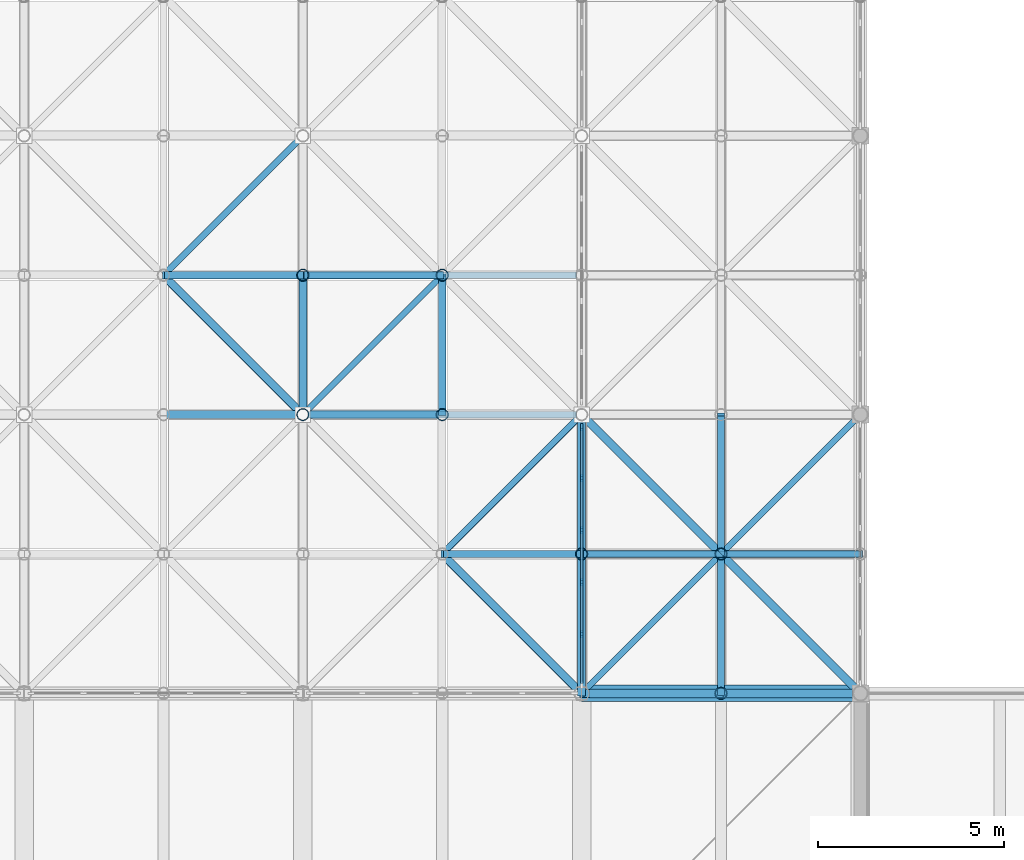
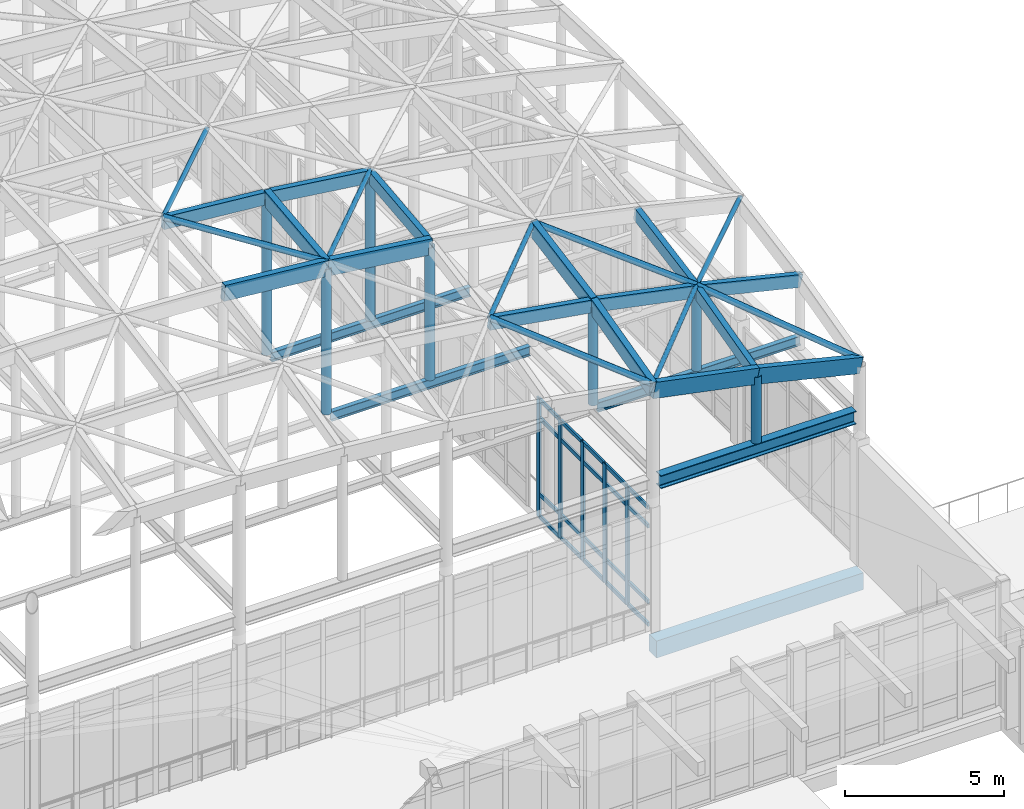
# One storey, part 43 of 131: 56 members, 5 beams, 1 element without a shape of its own.
"""IFC4 building model written with IfcOpenShell, lengths in metres."""

from ifc_helpers import new_model, si_unit, direction, frame, origin, origin_2d, place, context, subcontext, project, spatial, rectangle, hollow_circle, i_section, extrude, material, layer, layer_set, material_profile, profile_set, type_object, element, aggregate, save


model = new_model("IFC4")

# Units and contexts
model_context = context("Model", 3, precision=1e-05, world=origin(), true_north=direction((0.0, 1.0)))
body_context = subcontext(model_context, "Body", "Model", "MODEL_VIEW")
ifc_project = project(units=[si_unit("LENGTHUNIT", "METRE"), si_unit("AREAUNIT", "SQUARE_METRE"), si_unit("VOLUMEUNIT", "CUBIC_METRE"), si_unit("PLANEANGLEUNIT", "RADIAN"), si_unit("MASSUNIT", "GRAM", prefix="KILO")], contexts=[model_context])

# Site, building, storey
site_placement = place(None, origin())
site = spatial("IfcSite", under=ifc_project, at=site_placement, CompositionType="ELEMENT")
building_placement = place(site_placement, origin())
building = spatial("IfcBuilding", under=site, at=building_placement, Name="Dalvernix Boulevard General Hospital", CompositionType="ELEMENT")
storey_placement = place(building_placement, frame((0.0, 0.0, 9.300048828125)))
storey = spatial("IfcBuildingStorey", under=building, at=storey_placement, Name="L02", CompositionType="ELEMENT", Elevation=9.300048828125)

# Beams
ifc_material_1 = material(Name="Concrete C35/45", Category="concrete")
ifc_material_profile_1 = material_profile(ifc_material_1, rectangle(XDim=0.449951171875, YDim=0.64990234375, at=origin_2d()), Name="RCB 450x650")
ifc_profile_set_1 = profile_set([ifc_material_profile_1], Name="Concrete C35/45")
beam_type_1 = type_object("IfcBeamType", Name="BM-B-03-I", PredefinedType="BEAM", material=ifc_profile_set_1)
beam_1_placement = place(storey_placement, frame((105.0, 31.5, -0.64501953125), z_axis=(1.0, 0.0, 0.0), x_axis=(0.0, 1.0, 0.0)))
element("IfcBeam", 1, at=beam_1_placement, inside=storey, type_object=beam_type_1, Name="L02 E-W girder E:15-16", PredefinedType="BEAM", context=body_context, shape_type="SweptSolid", body=[
    extrude(rectangle(XDim=0.449951171875, YDim=0.64990234375, at=origin_2d()), origin(), (0.0, 0.0, 1.0), 7.5),
])
ifc_material_2 = material(Name="Steel S355", Category="steel")
ifc_material_profile_2 = material_profile(ifc_material_2, i_section(OverallWidth=0.300048828125, OverallDepth=0.5, WebThickness=0.014404296875, FlangeThickness=0.028076171875, FilletRadius=0.027099609375, at=origin_2d()), Name="HEB 500")
ifc_profile_set_2 = profile_set([ifc_material_profile_2], Name="Steel S355")
beam_type_2 = type_object("IfcBeamType", Name="BM-RB-02", PredefinedType="BEAM", material=ifc_profile_set_2)
beam_2_placement = place(storey_placement, frame((105.2099609375, 31.5, 5.64990234375), z_axis=(1.0, 0.0, 0.0), x_axis=(0.0, 1.0, 0.0)))
element("IfcBeam", 2, at=beam_2_placement, inside=storey, type_object=beam_type_2, Name="Gridshell Ring Beam S bay 7", PredefinedType="BEAM", context=body_context, shape_type="SweptSolid", body=[
    extrude(i_section(OverallWidth=0.300048828125, OverallDepth=0.5, WebThickness=0.014404296875, FlangeThickness=0.028076171875, FilletRadius=0.027099609375, at=origin_2d()), origin(), (0.0, 0.0, 1.0), 7.080078125),
])
ifc_material_profile_3 = material_profile(ifc_material_2, i_section(OverallWidth=0.169921875, OverallDepth=0.360107421875, WebThickness=0.008056640625, FlangeThickness=0.0126953125, FilletRadius=0.01806640625, at=origin_2d()), Name="IPE 360")
ifc_profile_set_3 = profile_set([ifc_material_profile_3], Name="Steel S355")
beam_type_3 = type_object("IfcBeamType", Name="BM-RB-08", PredefinedType="BEAM", material=ifc_profile_set_3)
beam_3_placement = place(storey_placement, frame((105.14208984375, 35.25, 6.219970703125), z_axis=(1.0, 0.0, 0.0), x_axis=(0.0, 1.0, 0.0)))
element("IfcBeam", 3, at=beam_3_placement, inside=storey, type_object=beam_type_3, Name="ROOF TRUSS Gridshell cross tie 12-1", PredefinedType="BEAM", context=body_context, shape_type="SweptSolid", body=[
    extrude(i_section(OverallWidth=0.169921875, OverallDepth=0.360107421875, WebThickness=0.008056640625, FlangeThickness=0.0126953125, FilletRadius=0.01806640625, at=origin_2d()), origin(), (0.0, 0.0, 1.0), 7.35791015625),
])
for number, where, z_axis, x_axis, name in (
    (4, (97.64208984375, 39.0, 6.219970703125), (1.0, 0.0, 0.0), (0.0, 1.0, 0.0), "ROOF TRUSS Gridshell cross tie 10-2"),
    (5, (97.64208984375, 42.75, 6.219970703125), (1.0, 0.0, 0.0), (0.0, 1.0, 0.0), "ROOF TRUSS Gridshell cross tie 10-3"),
):
    element("IfcBeam", number, at=place(storey_placement, frame(where, z_axis=z_axis, x_axis=x_axis)), inside=storey, type_object=beam_type_3, Name=name, PredefinedType="BEAM", context=body_context, shape_type="SweptSolid", body=[
        extrude(i_section(OverallWidth=0.169921875, OverallDepth=0.360107421875, WebThickness=0.008056640625, FlangeThickness=0.0126953125, FilletRadius=0.01806640625, at=origin_2d()), origin(), (0.0, 0.0, 1.0), 7.2158203125),
    ])

# Curtain wall, members
ifc_material_3 = material(Name="Thermally broken aluminium and solar-control glass curtain wall", Category="aluminium")
ifc_layer = layer(ifc_material_3, 0.199951171875)
ifc_layer_set = layer_set([ifc_layer], Name="Thermally broken aluminium and solar-control glass curtain wall (CW-CW-C-70x46)")
curtain_wall_type = type_object("IfcCurtainWallType", Name="CW-CW-C-70x46", PredefinedType="USERDEFINED", material=ifc_layer_set)
curtain_wall_placement = place(storey_placement, origin())
curtain_wall = element("IfcCurtainWall", 6, at=curtain_wall_placement, inside=storey, type_object=curtain_wall_type, Name="L02 curtain wall CW-C-70x46 14-4", ObjectType="GLAZED FACADE", PredefinedType="USERDEFINED")
ifc_material_4 = material(Name="Aluminium EN AW-6060", Category="aluminium")
ifc_material_profile_4 = material_profile(ifc_material_4, rectangle(XDim=0.070068359375, YDim=0.199951171875, at=origin_2d()), Name="ALU MULL 70x200")
ifc_profile_set_4 = profile_set([ifc_material_profile_4], Name="Aluminium EN AW-6060")
member_type_1 = type_object("IfcMemberType", Name="MEM-CW-M3", PredefinedType="MULLION", material=ifc_profile_set_4)
member_1_placement = place(storey_placement, frame((105.0, 33.090087890625, 0.0), z_axis=(0.0, 0.0, 1.0), x_axis=(-1.0, 0.0, 0.0)))
member_1 = element("IfcMember", 7, at=member_1_placement, type_object=member_type_1, Name="CW-C-70x46 mullion 2", PredefinedType="MULLION", context=body_context, shape_type="SweptSolid", body=[
    extrude(rectangle(XDim=0.070068359375, YDim=0.199951171875, at=origin_2d()), origin(), (0.0, 0.0, 1.0), 4.550048828125),
])
member_2_placement = place(storey_placement, frame((105.0, 34.489990234375, 0.0), z_axis=(0.0, 0.0, 1.0), x_axis=(-1.0, 0.0, 0.0)))
member_2 = element("IfcMember", 8, at=member_2_placement, type_object=member_type_1, Name="CW-C-70x46 mullion 3", PredefinedType="MULLION", context=body_context, shape_type="SweptSolid", body=[
    extrude(rectangle(XDim=0.070068359375, YDim=0.199951171875, at=origin_2d()), origin(), (0.0, 0.0, 1.0), 4.550048828125),
])
member_3_placement = place(storey_placement, frame((105.0, 35.889892578125, 0.0), z_axis=(0.0, 0.0, 1.0), x_axis=(-1.0, 0.0, 0.0)))
member_3 = element("IfcMember", 9, at=member_3_placement, type_object=member_type_1, Name="CW-C-70x46 mullion 4", PredefinedType="MULLION", context=body_context, shape_type="SweptSolid", body=[
    extrude(rectangle(XDim=0.070068359375, YDim=0.199951171875, at=origin_2d()), origin(), (0.0, 0.0, 1.0), 4.550048828125),
])
member_4_placement = place(storey_placement, frame((105.0, 37.2900390625, 0.0), z_axis=(0.0, 0.0, 1.0), x_axis=(-1.0, 0.0, 0.0)))
member_4 = element("IfcMember", 10, at=member_4_placement, type_object=member_type_1, Name="CW-C-70x46 mullion 5", PredefinedType="MULLION", context=body_context, shape_type="SweptSolid", body=[
    extrude(rectangle(XDim=0.070068359375, YDim=0.199951171875, at=origin_2d()), origin(), (0.0, 0.0, 1.0), 4.550048828125),
])
member_5_placement = place(storey_placement, frame((105.0, 38.655029296875, 0.0), z_axis=(0.0, 0.0, 1.0), x_axis=(-1.0, 0.0, 0.0)))
member_5 = element("IfcMember", 11, at=member_5_placement, type_object=member_type_1, Name="CW-C-70x46 mullion 6", PredefinedType="MULLION", context=body_context, shape_type="SweptSolid", body=[
    extrude(rectangle(XDim=0.070068359375, YDim=0.199951171875, at=origin_2d()), origin(), (0.0, 0.0, 1.0), 4.550048828125),
])
ifc_material_profile_5 = material_profile(ifc_material_4, rectangle(XDim=0.070068359375, YDim=0.14990234375, at=origin_2d()), Name="ALU TRAN 70x150")
ifc_profile_set_5 = profile_set([ifc_material_profile_5], Name="Aluminium EN AW-6060")
member_type_2 = type_object("IfcMemberType", Name="MEM-CW-T3", PredefinedType="USERDEFINED", material=ifc_profile_set_5)
member_6_placement = place(storey_placement, frame((105.0, 31.760009765625, 0.034912109375), z_axis=(0.0, 1.0, 0.0), x_axis=(-1.0, 0.0, 0.0)))
member_6 = element("IfcMember", 12, at=member_6_placement, type_object=member_type_2, Name="CW-C-70x46 transom 1.1", ObjectType="TRANSOM", PredefinedType="USERDEFINED", context=body_context, shape_type="SweptSolid", body=[
    extrude(rectangle(XDim=0.070068359375, YDim=0.14990234375, at=origin_2d()), origin(), (0.0, 0.0, 1.0), 1.294921875),
])
member_7_placement = place(storey_placement, frame((105.0, 31.760009765625, 0.89990234375), z_axis=(0.0, 1.0, 0.0), x_axis=(-1.0, 0.0, 0.0)))
member_7 = element("IfcMember", 13, at=member_7_placement, type_object=member_type_2, Name="CW-C-70x46 transom 1.2", ObjectType="TRANSOM", PredefinedType="USERDEFINED", context=body_context, shape_type="SweptSolid", body=[
    extrude(rectangle(XDim=0.070068359375, YDim=0.14990234375, at=origin_2d()), origin(), (0.0, 0.0, 1.0), 1.294921875),
])
member_8_placement = place(storey_placement, frame((105.0, 31.760009765625, 3.800048828125), z_axis=(0.0, 1.0, 0.0), x_axis=(-1.0, 0.0, 0.0)))
member_8 = element("IfcMember", 14, at=member_8_placement, type_object=member_type_2, Name="CW-C-70x46 transom 1.3", ObjectType="TRANSOM", PredefinedType="USERDEFINED", context=body_context, shape_type="SweptSolid", body=[
    extrude(rectangle(XDim=0.070068359375, YDim=0.14990234375, at=origin_2d()), origin(), (0.0, 0.0, 1.0), 1.294921875),
])
member_9_placement = place(storey_placement, frame((105.0, 31.760009765625, 4.514892578125), z_axis=(0.0, 1.0, 0.0), x_axis=(-1.0, 0.0, 0.0)))
member_9 = element("IfcMember", 15, at=member_9_placement, type_object=member_type_2, Name="CW-C-70x46 transom 1.4", ObjectType="TRANSOM", PredefinedType="USERDEFINED", context=body_context, shape_type="SweptSolid", body=[
    extrude(rectangle(XDim=0.070068359375, YDim=0.14990234375, at=origin_2d()), origin(), (0.0, 0.0, 1.0), 1.294921875),
])
member_10_placement = place(storey_placement, frame((105.0, 33.125, 0.034912109375), z_axis=(0.0, 1.0, 0.0), x_axis=(-1.0, 0.0, 0.0)))
member_10 = element("IfcMember", 16, at=member_10_placement, type_object=member_type_2, Name="CW-C-70x46 transom 2.1", ObjectType="TRANSOM", PredefinedType="USERDEFINED", context=body_context, shape_type="SweptSolid", body=[
    extrude(rectangle(XDim=0.070068359375, YDim=0.14990234375, at=origin_2d()), origin(), (0.0, 0.0, 1.0), 1.330078125),
])
member_11_placement = place(storey_placement, frame((105.0, 33.125, 0.89990234375), z_axis=(0.0, 1.0, 0.0), x_axis=(-1.0, 0.0, 0.0)))
member_11 = element("IfcMember", 17, at=member_11_placement, type_object=member_type_2, Name="CW-C-70x46 transom 2.2", ObjectType="TRANSOM", PredefinedType="USERDEFINED", context=body_context, shape_type="SweptSolid", body=[
    extrude(rectangle(XDim=0.070068359375, YDim=0.14990234375, at=origin_2d()), origin(), (0.0, 0.0, 1.0), 1.330078125),
])
member_12_placement = place(storey_placement, frame((105.0, 33.125, 3.800048828125), z_axis=(0.0, 1.0, 0.0), x_axis=(-1.0, 0.0, 0.0)))
member_12 = element("IfcMember", 18, at=member_12_placement, type_object=member_type_2, Name="CW-C-70x46 transom 2.3", ObjectType="TRANSOM", PredefinedType="USERDEFINED", context=body_context, shape_type="SweptSolid", body=[
    extrude(rectangle(XDim=0.070068359375, YDim=0.14990234375, at=origin_2d()), origin(), (0.0, 0.0, 1.0), 1.330078125),
])
member_13_placement = place(storey_placement, frame((105.0, 33.125, 4.514892578125), z_axis=(0.0, 1.0, 0.0), x_axis=(-1.0, 0.0, 0.0)))
member_13 = element("IfcMember", 19, at=member_13_placement, type_object=member_type_2, Name="CW-C-70x46 transom 2.4", ObjectType="TRANSOM", PredefinedType="USERDEFINED", context=body_context, shape_type="SweptSolid", body=[
    extrude(rectangle(XDim=0.070068359375, YDim=0.14990234375, at=origin_2d()), origin(), (0.0, 0.0, 1.0), 1.330078125),
])
member_14_placement = place(storey_placement, frame((105.0, 34.52490234375, 0.034912109375), z_axis=(0.0, 1.0, 0.0), x_axis=(-1.0, 0.0, 0.0)))
member_14 = element("IfcMember", 20, at=member_14_placement, type_object=member_type_2, Name="CW-C-70x46 transom 3.1", ObjectType="TRANSOM", PredefinedType="USERDEFINED", context=body_context, shape_type="SweptSolid", body=[
    extrude(rectangle(XDim=0.070068359375, YDim=0.14990234375, at=origin_2d()), origin(), (0.0, 0.0, 1.0), 1.330078125),
])
member_15_placement = place(storey_placement, frame((105.0, 34.52490234375, 0.89990234375), z_axis=(0.0, 1.0, 0.0), x_axis=(-1.0, 0.0, 0.0)))
member_15 = element("IfcMember", 21, at=member_15_placement, type_object=member_type_2, Name="CW-C-70x46 transom 3.2", ObjectType="TRANSOM", PredefinedType="USERDEFINED", context=body_context, shape_type="SweptSolid", body=[
    extrude(rectangle(XDim=0.070068359375, YDim=0.14990234375, at=origin_2d()), origin(), (0.0, 0.0, 1.0), 1.330078125),
])
member_16_placement = place(storey_placement, frame((105.0, 34.52490234375, 3.800048828125), z_axis=(0.0, 1.0, 0.0), x_axis=(-1.0, 0.0, 0.0)))
member_16 = element("IfcMember", 22, at=member_16_placement, type_object=member_type_2, Name="CW-C-70x46 transom 3.3", ObjectType="TRANSOM", PredefinedType="USERDEFINED", context=body_context, shape_type="SweptSolid", body=[
    extrude(rectangle(XDim=0.070068359375, YDim=0.14990234375, at=origin_2d()), origin(), (0.0, 0.0, 1.0), 1.330078125),
])
member_17_placement = place(storey_placement, frame((105.0, 34.52490234375, 4.514892578125), z_axis=(0.0, 1.0, 0.0), x_axis=(-1.0, 0.0, 0.0)))
member_17 = element("IfcMember", 23, at=member_17_placement, type_object=member_type_2, Name="CW-C-70x46 transom 3.4", ObjectType="TRANSOM", PredefinedType="USERDEFINED", context=body_context, shape_type="SweptSolid", body=[
    extrude(rectangle(XDim=0.070068359375, YDim=0.14990234375, at=origin_2d()), origin(), (0.0, 0.0, 1.0), 1.330078125),
])
member_18_placement = place(storey_placement, frame((105.0, 35.925048828125, 0.034912109375), z_axis=(0.0, 1.0, 0.0), x_axis=(-1.0, 0.0, 0.0)))
member_18 = element("IfcMember", 24, at=member_18_placement, type_object=member_type_2, Name="CW-C-70x46 transom 4.1", ObjectType="TRANSOM", PredefinedType="USERDEFINED", context=body_context, shape_type="SweptSolid", body=[
    extrude(rectangle(XDim=0.070068359375, YDim=0.14990234375, at=origin_2d()), origin(), (0.0, 0.0, 1.0), 1.329833984375),
])
member_19_placement = place(storey_placement, frame((105.0, 35.925048828125, 0.89990234375), z_axis=(0.0, 1.0, 0.0), x_axis=(-1.0, 0.0, 0.0)))
member_19 = element("IfcMember", 25, at=member_19_placement, type_object=member_type_2, Name="CW-C-70x46 transom 4.2", ObjectType="TRANSOM", PredefinedType="USERDEFINED", context=body_context, shape_type="SweptSolid", body=[
    extrude(rectangle(XDim=0.070068359375, YDim=0.14990234375, at=origin_2d()), origin(), (0.0, 0.0, 1.0), 1.329833984375),
])
member_20_placement = place(storey_placement, frame((105.0, 35.925048828125, 3.800048828125), z_axis=(0.0, 1.0, 0.0), x_axis=(-1.0, 0.0, 0.0)))
member_20 = element("IfcMember", 26, at=member_20_placement, type_object=member_type_2, Name="CW-C-70x46 transom 4.3", ObjectType="TRANSOM", PredefinedType="USERDEFINED", context=body_context, shape_type="SweptSolid", body=[
    extrude(rectangle(XDim=0.070068359375, YDim=0.14990234375, at=origin_2d()), origin(), (0.0, 0.0, 1.0), 1.329833984375),
])
member_21_placement = place(storey_placement, frame((105.0, 35.925048828125, 4.514892578125), z_axis=(0.0, 1.0, 0.0), x_axis=(-1.0, 0.0, 0.0)))
member_21 = element("IfcMember", 27, at=member_21_placement, type_object=member_type_2, Name="CW-C-70x46 transom 4.4", ObjectType="TRANSOM", PredefinedType="USERDEFINED", context=body_context, shape_type="SweptSolid", body=[
    extrude(rectangle(XDim=0.070068359375, YDim=0.14990234375, at=origin_2d()), origin(), (0.0, 0.0, 1.0), 1.329833984375),
])
member_22_placement = place(storey_placement, frame((105.0, 37.324951171875, 0.034912109375), z_axis=(0.0, 1.0, 0.0), x_axis=(-1.0, 0.0, 0.0)))
member_22 = element("IfcMember", 28, at=member_22_placement, type_object=member_type_2, Name="CW-C-70x46 transom 5.1", ObjectType="TRANSOM", PredefinedType="USERDEFINED", context=body_context, shape_type="SweptSolid", body=[
    extrude(rectangle(XDim=0.070068359375, YDim=0.14990234375, at=origin_2d()), origin(), (0.0, 0.0, 1.0), 1.295166015625),
])
member_23_placement = place(storey_placement, frame((105.0, 37.324951171875, 0.89990234375), z_axis=(0.0, 1.0, 0.0), x_axis=(-1.0, 0.0, 0.0)))
member_23 = element("IfcMember", 29, at=member_23_placement, type_object=member_type_2, Name="CW-C-70x46 transom 5.2", ObjectType="TRANSOM", PredefinedType="USERDEFINED", context=body_context, shape_type="SweptSolid", body=[
    extrude(rectangle(XDim=0.070068359375, YDim=0.14990234375, at=origin_2d()), origin(), (0.0, 0.0, 1.0), 1.295166015625),
])
member_24_placement = place(storey_placement, frame((105.0, 37.324951171875, 3.800048828125), z_axis=(0.0, 1.0, 0.0), x_axis=(-1.0, 0.0, 0.0)))
member_24 = element("IfcMember", 30, at=member_24_placement, type_object=member_type_2, Name="CW-C-70x46 transom 5.3", ObjectType="TRANSOM", PredefinedType="USERDEFINED", context=body_context, shape_type="SweptSolid", body=[
    extrude(rectangle(XDim=0.070068359375, YDim=0.14990234375, at=origin_2d()), origin(), (0.0, 0.0, 1.0), 1.295166015625),
])
member_25_placement = place(storey_placement, frame((105.0, 37.324951171875, 4.514892578125), z_axis=(0.0, 1.0, 0.0), x_axis=(-1.0, 0.0, 0.0)))
member_25 = element("IfcMember", 31, at=member_25_placement, type_object=member_type_2, Name="CW-C-70x46 transom 5.4", ObjectType="TRANSOM", PredefinedType="USERDEFINED", context=body_context, shape_type="SweptSolid", body=[
    extrude(rectangle(XDim=0.070068359375, YDim=0.14990234375, at=origin_2d()), origin(), (0.0, 0.0, 1.0), 1.295166015625),
])
aggregate(curtain_wall, [member_1, member_2, member_3, member_4, member_5, member_6, member_7, member_8, member_9, member_10, member_11, member_12, member_13, member_14, member_15, member_16, member_17, member_18, member_19, member_20, member_21, member_22, member_23, member_24, member_25])

# Members
ifc_material_5 = material(Name="Glulam GL28h", Category="wood")
ifc_material_profile_6 = material_profile(ifc_material_5, rectangle(XDim=0.219970703125, YDim=0.60009765625, at=origin_2d()), Name="GL28h 220x600")
ifc_profile_set_6 = profile_set([ifc_material_profile_6], Name="Glulam GL28h")
member_type_3 = type_object("IfcMemberType", Name="MEM-GS-C1", PredefinedType="CHORD", material=ifc_profile_set_6)
member_26_placement = place(storey_placement, frame((105.0, 31.5, 9.21533203125), z_axis=(0.979900110741, 0.0, -0.199488779055), x_axis=(0.0, 1.0, 0.0)))
element("IfcMember", 32, at=member_26_placement, inside=storey, type_object=member_type_3, Name="ROOF TRUSS Gridshell E-W glulam rib 13-1", PredefinedType="CHORD", context=body_context, shape_type="SweptSolid", body=[
    extrude(rectangle(XDim=0.219970703125, YDim=0.60009765625, at=origin_2d()), origin(), (0.0, 0.0, 1.0), 3.826904296875),
])
member_27_placement = place(storey_placement, frame((108.75, 31.5, 8.451904296875), z_axis=(0.972278025754, 0.0, -0.233827801246), x_axis=(0.0, 1.0, 0.0)))
element("IfcMember", 33, at=member_27_placement, inside=storey, type_object=member_type_3, Name="ROOF TRUSS Gridshell E-W glulam rib 14-1", PredefinedType="CHORD", context=body_context, shape_type="SweptSolid", body=[
    extrude(rectangle(XDim=0.219970703125, YDim=0.60009765625, at=origin_2d()), origin(), (0.0, 0.0, 1.0), 3.85693359375),
])
member_28_placement = place(storey_placement, frame((93.75, 39.0, 12.322265625), z_axis=(0.995747945021, 0.0, -0.092119650382), x_axis=(0.0, 1.0, 0.0)))
element("IfcMember", 34, at=member_28_placement, inside=storey, type_object=member_type_3, Name="ROOF TRUSS Gridshell E-W glulam rib 10-3", PredefinedType="CHORD", context=body_context, shape_type="SweptSolid", body=[
    extrude(rectangle(XDim=0.219970703125, YDim=0.60009765625, at=origin_2d()), origin(), (0.0, 0.0, 1.0), 3.76611328125),
])
member_29_placement = place(storey_placement, frame((97.5, 39.0, 11.975341796875), z_axis=(0.99171987465, 0.0, -0.128419975956), x_axis=(0.0, 1.0, 0.0)))
element("IfcMember", 35, at=member_29_placement, inside=storey, type_object=member_type_3, Name="ROOF TRUSS Gridshell E-W glulam rib 11-3", PredefinedType="CHORD", context=body_context, shape_type="SweptSolid", body=[
    extrude(rectangle(XDim=0.219970703125, YDim=0.60009765625, at=origin_2d()), origin(), (0.0, 0.0, 1.0), 3.78125),
])
member_30_placement = place(storey_placement, frame((97.5, 39.0, 11.975341796875), z_axis=(0.0, 0.994001542248, 0.109366055104), x_axis=(-1.0, 0.0, 0.0)))
element("IfcMember", 36, at=member_30_placement, inside=storey, type_object=member_type_3, Name="ROOF TRUSS Gridshell N-S glulam rib 11-3", PredefinedType="CHORD", context=body_context, shape_type="SweptSolid", body=[
    extrude(rectangle(XDim=0.219970703125, YDim=0.60009765625, at=origin_2d()), origin(), (0.0, 0.0, 1.0), 3.772705078125),
])
member_31_placement = place(storey_placement, frame((105.0, 31.5, 9.21533203125), z_axis=(0.0, 0.968610158303, 0.248584716408), x_axis=(-1.0, 0.0, 0.0)))
element("IfcMember", 37, at=member_31_placement, inside=storey, type_object=member_type_3, Name="ROOF TRUSS Gridshell N-S glulam rib 13-1", PredefinedType="CHORD", context=body_context, shape_type="SweptSolid", body=[
    extrude(rectangle(XDim=0.219970703125, YDim=0.60009765625, at=origin_2d()), origin(), (0.0, 0.0, 1.0), 3.87158203125),
])
member_32_placement = place(storey_placement, frame((105.0, 35.25, 10.177734375), z_axis=(0.0, 0.983606557377, 0.180327868852), x_axis=(-1.0, 0.0, 0.0)))
element("IfcMember", 38, at=member_32_placement, inside=storey, type_object=member_type_3, Name="ROOF TRUSS Gridshell N-S glulam rib 13-2", PredefinedType="CHORD", context=body_context, shape_type="SweptSolid", body=[
    extrude(rectangle(XDim=0.219970703125, YDim=0.60009765625, at=origin_2d()), origin(), (0.0, 0.0, 1.0), 3.8125),
])
ifc_material_profile_7 = material_profile(ifc_material_5, rectangle(XDim=0.199951171875, YDim=0.47998046875, at=origin_2d()), Name="GL28h 200x480")
ifc_profile_set_7 = profile_set([ifc_material_profile_7], Name="Glulam GL28h")
member_type_4 = type_object("IfcMemberType", Name="MEM-GS-C2", PredefinedType="CHORD", material=ifc_profile_set_7)
member_33_placement = place(storey_placement, frame((101.25, 35.25, 10.80224609375), z_axis=(0.98641474393, 0.0, -0.164274017902), x_axis=(0.0, 1.0, 0.0)))
element("IfcMember", 39, at=member_33_placement, inside=storey, type_object=member_type_4, Name="ROOF TRUSS Gridshell E-W glulam rib 12-2", PredefinedType="CHORD", context=body_context, shape_type="SweptSolid", body=[
    extrude(rectangle(XDim=0.199951171875, YDim=0.47998046875, at=origin_2d()), origin(), (0.0, 0.0, 1.0), 3.8017578125),
])
member_34_placement = place(storey_placement, frame((105.0, 35.25, 10.177734375), z_axis=(0.979912579686, 0.0, -0.1994275211), x_axis=(0.0, 1.0, 0.0)))
element("IfcMember", 40, at=member_34_placement, inside=storey, type_object=member_type_4, Name="ROOF TRUSS Gridshell E-W glulam rib 13-2", PredefinedType="CHORD", context=body_context, shape_type="SweptSolid", body=[
    extrude(rectangle(XDim=0.199951171875, YDim=0.47998046875, at=origin_2d()), origin(), (0.0, 0.0, 1.0), 3.826904296875),
])
member_35_placement = place(storey_placement, frame((108.75, 35.25, 9.41455078125), z_axis=(0.972263633295, 0.0, -0.233887638348), x_axis=(0.0, 1.0, 0.0)))
element("IfcMember", 41, at=member_35_placement, inside=storey, type_object=member_type_4, Name="ROOF TRUSS Gridshell E-W glulam rib 14-2", PredefinedType="CHORD", context=body_context, shape_type="SweptSolid", body=[
    extrude(rectangle(XDim=0.199951171875, YDim=0.47998046875, at=origin_2d()), origin(), (0.0, 0.0, 1.0), 3.85693359375),
])
member_36_placement = place(storey_placement, frame((93.75, 42.75, 12.73486328125), z_axis=(0.995747945021, 0.0, -0.092119650382), x_axis=(0.0, 1.0, 0.0)))
element("IfcMember", 42, at=member_36_placement, inside=storey, type_object=member_type_4, Name="ROOF TRUSS Gridshell E-W glulam rib 10-4", PredefinedType="CHORD", context=body_context, shape_type="SweptSolid", body=[
    extrude(rectangle(XDim=0.199951171875, YDim=0.47998046875, at=origin_2d()), origin(), (0.0, 0.0, 1.0), 3.76611328125),
])
member_37_placement = place(storey_placement, frame((97.5, 42.75, 12.387939453125), z_axis=(0.99171987465, 0.0, -0.128419975956), x_axis=(0.0, 1.0, 0.0)))
element("IfcMember", 43, at=member_37_placement, inside=storey, type_object=member_type_4, Name="ROOF TRUSS Gridshell E-W glulam rib 11-4", PredefinedType="CHORD", context=body_context, shape_type="SweptSolid", body=[
    extrude(rectangle(XDim=0.199951171875, YDim=0.47998046875, at=origin_2d()), origin(), (0.0, 0.0, 1.0), 3.78125),
])
member_38_placement = place(storey_placement, frame((101.25, 39.0, 11.48974609375), z_axis=(0.0, 0.994001542248, 0.109366055104), x_axis=(-1.0, 0.0, 0.0)))
element("IfcMember", 44, at=member_38_placement, inside=storey, type_object=member_type_4, Name="ROOF TRUSS Gridshell N-S glulam rib 12-3", PredefinedType="CHORD", context=body_context, shape_type="SweptSolid", body=[
    extrude(rectangle(XDim=0.199951171875, YDim=0.47998046875, at=origin_2d()), origin(), (0.0, 0.0, 1.0), 3.772705078125),
])
member_39_placement = place(storey_placement, frame((108.75, 31.5, 8.451904296875), z_axis=(0.0, 0.968594972907, 0.248643878787), x_axis=(-1.0, 0.0, 0.0)))
element("IfcMember", 45, at=member_39_placement, inside=storey, type_object=member_type_4, Name="ROOF TRUSS Gridshell N-S glulam rib 14-1", PredefinedType="CHORD", context=body_context, shape_type="SweptSolid", body=[
    extrude(rectangle(XDim=0.199951171875, YDim=0.47998046875, at=origin_2d()), origin(), (0.0, 0.0, 1.0), 3.87158203125),
])
member_40_placement = place(storey_placement, frame((108.75, 35.25, 9.41455078125), z_axis=(0.0, 0.983606557377, 0.180327868852), x_axis=(-1.0, 0.0, 0.0)))
element("IfcMember", 46, at=member_40_placement, inside=storey, type_object=member_type_4, Name="ROOF TRUSS Gridshell N-S glulam rib 14-2", PredefinedType="CHORD", context=body_context, shape_type="SweptSolid", body=[
    extrude(rectangle(XDim=0.199951171875, YDim=0.47998046875, at=origin_2d()), origin(), (0.0, 0.0, 1.0), 3.8125),
])
ifc_material_profile_8 = material_profile(ifc_material_2, hollow_circle(Radius=0.161865234375, WallThickness=0.012451171875, at=origin_2d()), Name="CHS 323.9x12.5")
ifc_profile_set_8 = profile_set([ifc_material_profile_8], Name="Steel S355")
member_type_5 = type_object("IfcMemberType", Name="MEM-GS-C3", PredefinedType="CHORD", material=ifc_profile_set_8)
member_41_placement = place(storey_placement, frame((108.75, 31.5, 5.89990234375), z_axis=(0.0, 0.0, 1.0), x_axis=(1.0, 0.0, 0.0)))
element("IfcMember", 47, at=member_41_placement, inside=storey, type_object=member_type_5, Name="Gridshell edge mullion 13-0", PredefinedType="CHORD", context=body_context, shape_type="SweptSolid", body=[
    extrude(hollow_circle(Radius=0.161865234375, WallThickness=0.012451171875, at=origin_2d()), origin(), (0.0, 0.0, 1.0), 2.552001953125),
])
member_42_placement = place(storey_placement, frame((97.5, 39.0, 6.39990234375), z_axis=(0.0, 0.0, 1.0), x_axis=(1.0, 0.0, 0.0)))
element("IfcMember", 48, at=member_42_placement, inside=storey, type_object=member_type_5, Name="ROOF TRUSS Gridshell arch queen post 10-2", PredefinedType="CHORD", context=body_context, shape_type="SweptSolid", body=[
    extrude(hollow_circle(Radius=0.161865234375, WallThickness=0.012451171875, at=origin_2d()), origin(), (0.0, 0.0, 1.0), 5.575439453125),
])
member_43_placement = place(storey_placement, frame((97.5, 42.75, 6.39990234375), z_axis=(0.0, 0.0, 1.0), x_axis=(1.0, 0.0, 0.0)))
element("IfcMember", 49, at=member_43_placement, inside=storey, type_object=member_type_5, Name="ROOF TRUSS Gridshell arch queen post 10-3", PredefinedType="CHORD", context=body_context, shape_type="SweptSolid", body=[
    extrude(hollow_circle(Radius=0.161865234375, WallThickness=0.012451171875, at=origin_2d()), origin(), (0.0, 0.0, 1.0), 5.988037109375),
])
member_44_placement = place(storey_placement, frame((101.25, 39.0, 6.39990234375), z_axis=(0.0, 0.0, 1.0), x_axis=(1.0, 0.0, 0.0)))
element("IfcMember", 50, at=member_44_placement, inside=storey, type_object=member_type_5, Name="ROOF TRUSS Gridshell arch queen post 11-2", PredefinedType="CHORD", context=body_context, shape_type="SweptSolid", body=[
    extrude(hollow_circle(Radius=0.161865234375, WallThickness=0.012451171875, at=origin_2d()), origin(), (0.0, 0.0, 1.0), 5.08984375),
])
member_45_placement = place(storey_placement, frame((101.25, 42.75, 6.39990234375), z_axis=(0.0, 0.0, 1.0), x_axis=(1.0, 0.0, 0.0)))
element("IfcMember", 51, at=member_45_placement, inside=storey, type_object=member_type_5, Name="ROOF TRUSS Gridshell arch queen post 11-3", PredefinedType="CHORD", context=body_context, shape_type="SweptSolid", body=[
    extrude(hollow_circle(Radius=0.161865234375, WallThickness=0.012451171875, at=origin_2d()), origin(), (0.0, 0.0, 1.0), 5.50244140625),
])
member_46_placement = place(storey_placement, frame((105.0, 35.25, 6.39990234375), z_axis=(0.0, 0.0, 1.0), x_axis=(1.0, 0.0, 0.0)))
element("IfcMember", 52, at=member_46_placement, inside=storey, type_object=member_type_5, Name="ROOF TRUSS Gridshell arch queen post 12-1", PredefinedType="CHORD", context=body_context, shape_type="SweptSolid", body=[
    extrude(hollow_circle(Radius=0.161865234375, WallThickness=0.012451171875, at=origin_2d()), origin(), (0.0, 0.0, 1.0), 3.77783203125),
])
member_47_placement = place(storey_placement, frame((108.75, 35.25, 6.39990234375), z_axis=(0.0, 0.0, 1.0), x_axis=(1.0, 0.0, 0.0)))
element("IfcMember", 53, at=member_47_placement, inside=storey, type_object=member_type_5, Name="ROOF TRUSS Gridshell arch queen post 13-1", PredefinedType="CHORD", context=body_context, shape_type="SweptSolid", body=[
    extrude(hollow_circle(Radius=0.161865234375, WallThickness=0.012451171875, at=origin_2d()), origin(), (0.0, 0.0, 1.0), 3.0146484375),
])
ifc_material_profile_9 = material_profile(ifc_material_2, hollow_circle(Radius=0.084228515625, WallThickness=0.00634765625, at=origin_2d()), Name="CHS 168.3x6.3")
ifc_profile_set_9 = profile_set([ifc_material_profile_9], Name="Steel S355")
member_type_6 = type_object("IfcMemberType", Name="MEM-GSD-01", PredefinedType="BRACE", material=ifc_profile_set_9)
member_48_placement = place(storey_placement, frame((93.75, 42.75, 12.9248046875), z_axis=(0.706555834786, 0.706555834786, -0.039467767334), x_axis=(-0.707106781187, 0.707106781187, 0.0)))
element("IfcMember", 54, at=member_48_placement, inside=storey, type_object=member_type_6, Name="ROOF TRUSS Gridshell diagrid tube 10-4", PredefinedType="BRACE", context=body_context, shape_type="SweptSolid", body=[
    extrude(hollow_circle(Radius=0.084228515625, WallThickness=0.00634765625, at=origin_2d()), origin(), (0.0, 0.0, 1.0), 5.307373046875),
])
for number, where, z_axis, x_axis, name in (
    (55, (97.5, 39.0, 12.16552734375), (0.707039355874, 0.707039355874, -0.013809362419), (-0.707106781187, 0.707106781187, 0.0), "ROOF TRUSS Gridshell diagrid tube 11-3"),
    (56, (101.25, 35.25, 10.9921875), (0.707056911568, 0.707056911568, 0.011876346561), (-0.707106781187, 0.707106781187, 0.0), "ROOF TRUSS Gridshell diagrid tube 12-2"),
):
    element("IfcMember", number, at=place(storey_placement, frame(where, z_axis=z_axis, x_axis=x_axis)), inside=storey, type_object=member_type_6, Name=name, PredefinedType="BRACE", context=body_context, shape_type="SweptSolid", body=[
        extrude(hollow_circle(Radius=0.084228515625, WallThickness=0.00634765625, at=origin_2d()), origin(), (0.0, 0.0, 1.0), 5.3037109375),
    ])
member_49_placement = place(storey_placement, frame((105.0, 31.5, 9.4052734375), z_axis=(0.706608397798, 0.706608397798, 0.037538571133), x_axis=(-0.707106781187, 0.707106781187, 0.0)))
element("IfcMember", 57, at=member_49_placement, inside=storey, type_object=member_type_6, Name="ROOF TRUSS Gridshell diagrid tube 13-1", PredefinedType="BRACE", context=body_context, shape_type="SweptSolid", body=[
    extrude(hollow_circle(Radius=0.084228515625, WallThickness=0.00634765625, at=origin_2d()), origin(), (0.0, 0.0, 1.0), 5.30712890625),
])
member_50_placement = place(storey_placement, frame((108.75, 35.25, 9.6044921875), z_axis=(0.706528568813, 0.706528568813, -0.040432201301), x_axis=(-0.707106781187, 0.707106781187, 0.0)))
element("IfcMember", 58, at=member_50_placement, inside=storey, type_object=member_type_6, Name="ROOF TRUSS Gridshell diagrid tube 14-2", PredefinedType="BRACE", context=body_context, shape_type="SweptSolid", body=[
    extrude(hollow_circle(Radius=0.084228515625, WallThickness=0.00634765625, at=origin_2d()), origin(), (0.0, 0.0, 1.0), 5.3076171875),
])
ifc_material_profile_10 = material_profile(ifc_material_2, hollow_circle(Radius=0.109619140625, WallThickness=0.008056640625, at=origin_2d()), Name="CHS 219.1x8.0")
ifc_profile_set_10 = profile_set([ifc_material_profile_10], Name="Steel S355")
member_type_7 = type_object("IfcMemberType", Name="MEM-GSD-02", PredefinedType="BRACE", material=ifc_profile_set_10)
member_51_placement = place(storey_placement, frame((97.5, 39.0, 12.16552734375), z_axis=(-0.699969238826, 0.699969238826, 0.141725542497), x_axis=(-0.707106781187, -0.707106781187, 0.0)))
element("IfcMember", 59, at=member_51_placement, inside=storey, type_object=member_type_7, Name="ROOF TRUSS Gridshell diagrid tube 10-3", PredefinedType="BRACE", context=body_context, shape_type="SweptSolid", body=[
    extrude(hollow_circle(Radius=0.109619140625, WallThickness=0.008056640625, at=origin_2d()), origin(), (0.0, 0.0, 1.0), 5.357421875),
])
member_52_placement = place(storey_placement, frame((105.0, 31.5, 9.4052734375), z_axis=(-0.677428599884, 0.677428599884, 0.286672259066), x_axis=(-0.707106781187, -0.707106781187, 0.0)))
element("IfcMember", 60, at=member_52_placement, inside=storey, type_object=member_type_7, Name="ROOF TRUSS Gridshell diagrid tube 12-1", PredefinedType="BRACE", context=body_context, shape_type="SweptSolid", body=[
    extrude(hollow_circle(Radius=0.109619140625, WallThickness=0.008056640625, at=origin_2d()), origin(), (0.0, 0.0, 1.0), 5.53564453125),
])
member_53_placement = place(storey_placement, frame((108.75, 35.25, 9.6044921875), z_axis=(-0.68204952164, 0.68204952164, 0.263850146978), x_axis=(-0.707106781187, -0.707106781187, 0.0)))
element("IfcMember", 61, at=member_53_placement, inside=storey, type_object=member_type_7, Name="ROOF TRUSS Gridshell diagrid tube 13-2", PredefinedType="BRACE", context=body_context, shape_type="SweptSolid", body=[
    extrude(hollow_circle(Radius=0.109619140625, WallThickness=0.008056640625, at=origin_2d()), origin(), (0.0, 0.0, 1.0), 5.498046875),
])
member_54_placement = place(storey_placement, frame((112.5, 31.5, 7.739990234375), z_axis=(-0.667080628523, 0.667080628523, 0.331672835939), x_axis=(-0.707106781187, -0.707106781187, 0.0)))
element("IfcMember", 62, at=member_54_placement, inside=storey, type_object=member_type_7, Name="ROOF TRUSS Gridshell diagrid tube 14-1", PredefinedType="BRACE", context=body_context, shape_type="SweptSolid", body=[
    extrude(hollow_circle(Radius=0.109619140625, WallThickness=0.008056640625, at=origin_2d()), origin(), (0.0, 0.0, 1.0), 5.62158203125),
])

save(model, "model.ifc")
